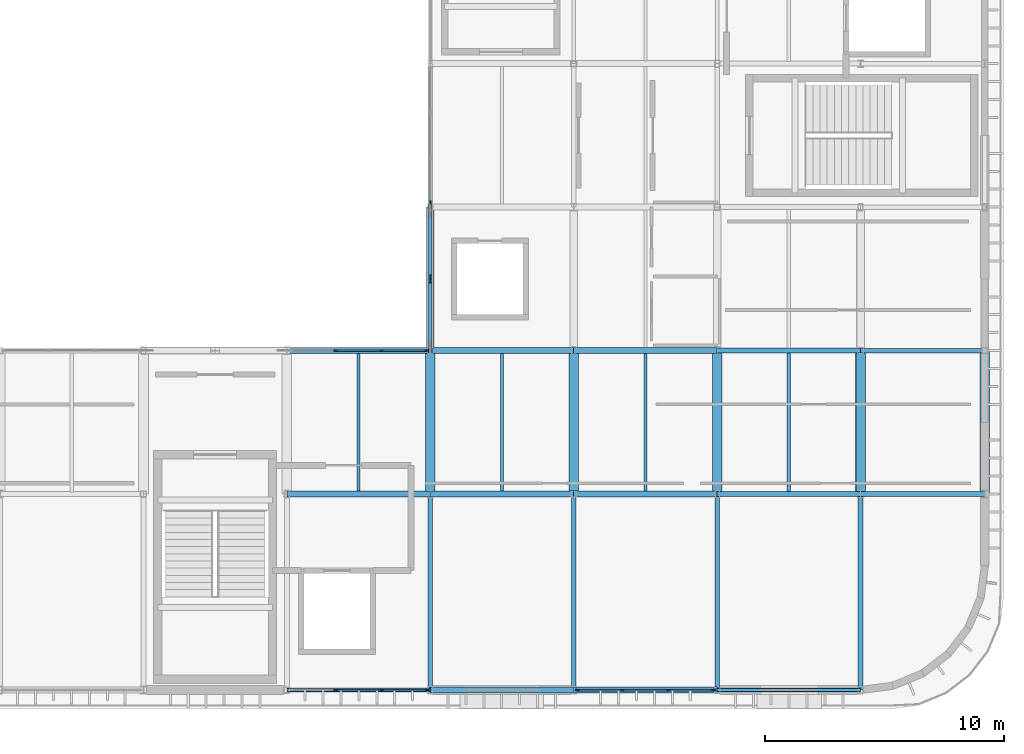
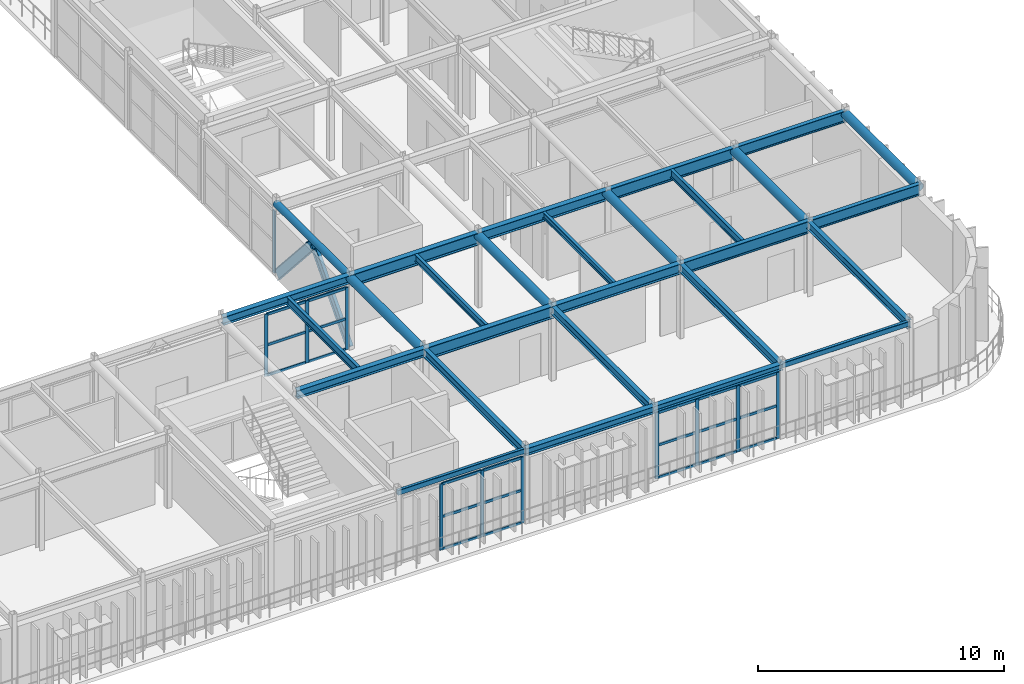
# One storey, part 7 of 27: 34 members, 28 beams, 4 elements without a shape of their own.
"""IFC4 building model written with IfcOpenShell, lengths in metres."""

from ifc_helpers import new_model, si_unit, direction, frame, origin, origin_2d, place, context, subcontext, project, spatial, rectangle, hollow_rectangle, hollow_circle, i_section, extrude, material, material_profile, profile_set, type_object, element, aggregate, save


model = new_model("IFC4")

# Units and contexts
model_context = context("Model", 3, precision=1e-05, world=origin(), true_north=direction((0.0, 1.0)))
body_context = subcontext(model_context, "Body", "Model", "MODEL_VIEW")
ifc_project = project(units=[si_unit("LENGTHUNIT", "METRE"), si_unit("AREAUNIT", "SQUARE_METRE"), si_unit("VOLUMEUNIT", "CUBIC_METRE"), si_unit("PLANEANGLEUNIT", "RADIAN"), si_unit("MASSUNIT", "GRAM", prefix="KILO")], contexts=[model_context])

# Site, building, storey
site_placement = place(None, origin())
site = spatial("IfcSite", under=ifc_project, at=site_placement, CompositionType="ELEMENT")
building_placement = place(site_placement, origin())
building = spatial("IfcBuilding", under=site, at=building_placement, Name="Varnakota Square Police Headquarters", CompositionType="ELEMENT")
storey_placement = place(building_placement, frame((0.0, 0.0, 26.10009765625)))
storey = spatial("IfcBuildingStorey", under=building, at=storey_placement, Name="L06", CompositionType="ELEMENT", Elevation=26.10009765625)

# Beams
ifc_material_1 = material(Name="Steel IS 2062 Grade 350", Category="steel")
ifc_material_profile_1 = material_profile(ifc_material_1, hollow_circle(Radius=0.161865234375, WallThickness=0.0126953125, at=origin_2d()), Name="CHS 323.9x12.7")
ifc_profile_set_1 = profile_set([ifc_material_profile_1], Name="Steel IS 2062 Grade 350")
beam_type_1 = type_object("IfcBeamType", Name="BM-ARC-CHS324", PredefinedType="BEAM", material=ifc_profile_set_1)
beam_1_placement = place(storey_placement, frame((138.0, 15.0, 3.52783203125), z_axis=(0.0, 1.0, 0.0), x_axis=(-1.0, 0.0, 0.0)))
element("IfcBeam", 1, at=beam_1_placement, inside=storey, type_object=beam_type_1, Name="BMG-L06-3347", PredefinedType="BEAM", context=body_context, shape_type="SweptSolid", body=[
    extrude(hollow_circle(Radius=0.161865234375, WallThickness=0.0126953125, at=origin_2d()), origin(), (0.0, 0.0, 1.0), 6.0),
])
ifc_material_profile_2 = material_profile(ifc_material_1, hollow_circle(Radius=0.203125, WallThickness=0.01611328125, at=origin_2d()), Name="CHS 406.4x16.0")
ifc_profile_set_2 = profile_set([ifc_material_profile_2], Name="Steel IS 2062 Grade 350")
beam_type_2 = type_object("IfcBeamType", Name="BM-ARC-CHS406", PredefinedType="BEAM", material=ifc_profile_set_2)
for number, where, z_axis, x_axis, name in (
    (2, (138.0, 9.0, 3.48681640625), (0.0, 1.0, 0.0), (-1.0, 0.0, 0.0), "BMG-L06-3346"),
    (3, (144.0, 9.0, 3.48681640625), (0.0, 1.0, 0.0), (-1.0, 0.0, 0.0), "BMG-L06-3352"),
    (4, (150.0, 9.0, 3.48681640625), (0.0, 1.0, 0.0), (-1.0, 0.0, 0.0), "BMG-L06-3358"),
    (5, (156.0, 9.0, 3.48681640625), (0.0, 1.0, 0.0), (-1.0, 0.0, 0.0), "BMG-L06-3364"),
    (6, (161.199951171875, 9.0, 3.48681640625), (0.0, 1.0, 0.0), (-1.0, 0.0, 0.0), "BMG-L06-3367"),
):
    element("IfcBeam", number, at=place(storey_placement, frame(where, z_axis=z_axis, x_axis=x_axis)), inside=storey, type_object=beam_type_2, Name=name, PredefinedType="BEAM", context=body_context, shape_type="SweptSolid", body=[
        extrude(hollow_circle(Radius=0.203125, WallThickness=0.01611328125, at=origin_2d()), origin(), (0.0, 0.0, 1.0), 6.0),
    ])
ifc_material_profile_3 = material_profile(ifc_material_1, hollow_rectangle(XDim=0.14990234375, YDim=0.25, WallThickness=0.010009765625, InnerFilletRadius=0.010009765625, OuterFilletRadius=0.02001953125, at=origin_2d()), Name="RHS 250x150x10")
ifc_profile_set_3 = profile_set([ifc_material_profile_3], Name="Steel IS 2062 Grade 350")
beam_type_3 = type_object("IfcBeamType", Name="BM-CBEAM-RHS250", PredefinedType="BEAM", material=ifc_profile_set_3)
for number, where, z_axis, x_axis, name in (
    (7, (132.0, 0.800048828125, 3.56494140625), (1.0, 0.0, 0.0), (0.0, 1.0, 0.0), "BMG-L06-3300"),
    (8, (150.0, 0.800048828125, 3.56494140625), (1.0, 0.0, 0.0), (0.0, 1.0, 0.0), "BMG-L06-3303"),
):
    element("IfcBeam", number, at=place(storey_placement, frame(where, z_axis=z_axis, x_axis=x_axis)), inside=storey, type_object=beam_type_3, Name=name, PredefinedType="BEAM", context=body_context, shape_type="SweptSolid", body=[
        extrude(hollow_rectangle(XDim=0.14990234375, YDim=0.25, WallThickness=0.010009765625, InnerFilletRadius=0.010009765625, OuterFilletRadius=0.02001953125, at=origin_2d()), origin(), (0.0, 0.0, 1.0), 6.0),
    ])
ifc_material_profile_4 = material_profile(ifc_material_1, i_section(OverallWidth=0.25, OverallDepth=0.300048828125, WebThickness=0.009521484375, FlangeThickness=0.010498046875, FilletRadius=0.011962890625, at=origin_2d()), Name="ISHB 300")
ifc_profile_set_4 = profile_set([ifc_material_profile_4], Name="Steel IS 2062 Grade 350")
beam_type_4 = type_object("IfcBeamType", Name="BM-ISHB300", PredefinedType="BEAM", material=ifc_profile_set_4)
beam_2_placement = place(storey_placement, frame((144.0, 0.800048828125, 3.539794921875), z_axis=(1.0, 0.0, 0.0), x_axis=(0.0, 1.0, 0.0)))
element("IfcBeam", 9, at=beam_2_placement, inside=storey, type_object=beam_type_4, Name="BMG-L06-3302", PredefinedType="BEAM", context=body_context, shape_type="SweptSolid", body=[
    extrude(i_section(OverallWidth=0.25, OverallDepth=0.300048828125, WebThickness=0.009521484375, FlangeThickness=0.010498046875, FilletRadius=0.011962890625, at=origin_2d()), origin(), (0.0, 0.0, 1.0), 6.0),
])
ifc_material_profile_5 = material_profile(ifc_material_1, i_section(OverallWidth=0.25, OverallDepth=0.35009765625, WebThickness=0.010009765625, FlangeThickness=0.01171875, FilletRadius=0.011962890625, at=origin_2d()), Name="ISHB 350")
ifc_profile_set_5 = profile_set([ifc_material_profile_5], Name="Steel IS 2062 Grade 350")
beam_type_5 = type_object("IfcBeamType", Name="BM-ISHB350", PredefinedType="BEAM", material=ifc_profile_set_5)
beam_3_placement = place(storey_placement, frame((138.0, 0.800048828125, 3.514892578125), z_axis=(1.0, 0.0, 0.0), x_axis=(0.0, 1.0, 0.0)))
element("IfcBeam", 10, at=beam_3_placement, inside=storey, type_object=beam_type_5, Name="BMG-L06-3301", PredefinedType="BEAM", context=body_context, shape_type="SweptSolid", body=[
    extrude(i_section(OverallWidth=0.25, OverallDepth=0.35009765625, WebThickness=0.010009765625, FlangeThickness=0.01171875, FilletRadius=0.011962890625, at=origin_2d()), origin(), (0.0, 0.0, 1.0), 6.0),
])
ifc_material_profile_6 = material_profile(ifc_material_1, i_section(OverallWidth=0.25, OverallDepth=0.39990234375, WebThickness=0.010498046875, FlangeThickness=0.0126953125, FilletRadius=0.013916015625, at=origin_2d()), Name="ISHB 400")
ifc_profile_set_6 = profile_set([ifc_material_profile_6], Name="Steel IS 2062 Grade 350")
beam_type_6 = type_object("IfcBeamType", Name="BM-ISHB400", PredefinedType="BEAM", material=ifc_profile_set_6)
for number, where, z_axis, x_axis, name in (
    (11, (132.0, 9.0, 3.489990234375), (1.0, 0.0, 0.0), (0.0, 1.0, 0.0), "BMG-L06-3307"),
    (12, (132.0, 15.0, 3.489990234375), (1.0, 0.0, 0.0), (0.0, 1.0, 0.0), "BMG-L06-3316"),
):
    element("IfcBeam", number, at=place(storey_placement, frame(where, z_axis=z_axis, x_axis=x_axis)), inside=storey, type_object=beam_type_6, Name=name, PredefinedType="BEAM", context=body_context, shape_type="SweptSolid", body=[
        extrude(i_section(OverallWidth=0.25, OverallDepth=0.39990234375, WebThickness=0.010498046875, FlangeThickness=0.0126953125, FilletRadius=0.013916015625, at=origin_2d()), origin(), (0.0, 0.0, 1.0), 6.0),
    ])
ifc_material_profile_7 = material_profile(ifc_material_1, i_section(OverallWidth=0.139892578125, OverallDepth=0.300048828125, WebThickness=0.0078125, FlangeThickness=0.01318359375, FilletRadius=0.013916015625, at=origin_2d()), Name="ISMB 300")
ifc_profile_set_7 = profile_set([ifc_material_profile_7], Name="Steel IS 2062 Grade 350")
beam_type_7 = type_object("IfcBeamType", Name="BM-ISMB300", PredefinedType="JOIST", material=ifc_profile_set_7)
beam_4_placement = place(storey_placement, frame((147.0, 9.123046875, 3.539794921875), z_axis=(0.0, 1.0, 0.0), x_axis=(-1.0, 0.0, 0.0)))
element("IfcBeam", 13, at=beam_4_placement, inside=storey, type_object=beam_type_7, Name="BMG-L06-3378", PredefinedType="JOIST", context=body_context, shape_type="SweptSolid", body=[
    extrude(i_section(OverallWidth=0.139892578125, OverallDepth=0.300048828125, WebThickness=0.0078125, FlangeThickness=0.01318359375, FilletRadius=0.013916015625, at=origin_2d()), origin(), (0.0, 0.0, 1.0), 5.75390625),
])
ifc_material_profile_8 = material_profile(ifc_material_1, i_section(OverallWidth=0.139892578125, OverallDepth=0.35009765625, WebThickness=0.008056640625, FlangeThickness=0.01416015625, FilletRadius=0.013916015625, at=origin_2d()), Name="ISMB 350")
ifc_profile_set_8 = profile_set([ifc_material_profile_8], Name="Steel IS 2062 Grade 350")
beam_type_8 = type_object("IfcBeamType", Name="BM-ISMB350", PredefinedType="JOIST", material=ifc_profile_set_8)
beam_5_placement = place(storey_placement, frame((141.0, 9.123046875, 3.514892578125), z_axis=(0.0, 1.0, 0.0), x_axis=(-1.0, 0.0, 0.0)))
element("IfcBeam", 14, at=beam_5_placement, inside=storey, type_object=beam_type_8, Name="BMG-L06-3376", PredefinedType="JOIST", context=body_context, shape_type="SweptSolid", body=[
    extrude(i_section(OverallWidth=0.139892578125, OverallDepth=0.35009765625, WebThickness=0.008056640625, FlangeThickness=0.01416015625, FilletRadius=0.013916015625, at=origin_2d()), origin(), (0.0, 0.0, 1.0), 5.75390625),
])
ifc_material_profile_9 = material_profile(ifc_material_1, i_section(OverallWidth=0.139892578125, OverallDepth=0.39990234375, WebThickness=0.0087890625, FlangeThickness=0.01611328125, FilletRadius=0.013916015625, at=origin_2d()), Name="ISMB 400")
ifc_profile_set_9 = profile_set([ifc_material_profile_9], Name="Steel IS 2062 Grade 350")
beam_type_9 = type_object("IfcBeamType", Name="BM-ISMB400", PredefinedType="JOIST", material=ifc_profile_set_9)
beam_6_placement = place(storey_placement, frame((135.0, 9.123046875, 3.489990234375), z_axis=(0.0, 1.0, 0.0), x_axis=(-1.0, 0.0, 0.0)))
element("IfcBeam", 15, at=beam_6_placement, inside=storey, type_object=beam_type_9, Name="BMG-L06-3375", PredefinedType="JOIST", context=body_context, shape_type="SweptSolid", body=[
    extrude(i_section(OverallWidth=0.139892578125, OverallDepth=0.39990234375, WebThickness=0.0087890625, FlangeThickness=0.01611328125, FilletRadius=0.013916015625, at=origin_2d()), origin(), (0.0, 0.0, 1.0), 5.75390625),
])
beam_7_placement = place(storey_placement, frame((153.0, 9.10302734375, 3.489990234375), z_axis=(0.0, 1.0, 0.0), x_axis=(-1.0, 0.0, 0.0)))
element("IfcBeam", 16, at=beam_7_placement, inside=storey, type_object=beam_type_9, Name="BMG-L06-3383", PredefinedType="JOIST", context=body_context, shape_type="SweptSolid", body=[
    extrude(i_section(OverallWidth=0.139892578125, OverallDepth=0.39990234375, WebThickness=0.0087890625, FlangeThickness=0.01611328125, FilletRadius=0.013916015625, at=origin_2d()), origin(), (0.0, 0.0, 1.0), 5.7939453125),
])
ifc_material_profile_10 = material_profile(ifc_material_1, i_section(OverallWidth=0.18994140625, OverallDepth=0.550048828125, WebThickness=0.01123046875, FlangeThickness=0.019287109375, FilletRadius=0.01806640625, at=origin_2d()), Name="ISMB 550")
ifc_profile_set_10 = profile_set([ifc_material_profile_10], Name="Steel IS 2062 Grade 350")
beam_type_10 = type_object("IfcBeamType", Name="BM-ISMB550", PredefinedType="BEAM", material=ifc_profile_set_10)
for number, where, z_axis, x_axis, name in (
    (17, (156.0, 9.0, 3.414794921875), (1.0, 0.0, 0.0), (0.0, 1.0, 0.0), "BMG-L06-3311"),
    (18, (156.0, 15.0, 3.414794921875), (1.0, 0.0, 0.0), (0.0, 1.0, 0.0), "BMG-L06-3320"),
):
    element("IfcBeam", number, at=place(storey_placement, frame(where, z_axis=z_axis, x_axis=x_axis)), inside=storey, type_object=beam_type_10, Name=name, PredefinedType="BEAM", context=body_context, shape_type="SweptSolid", body=[
        extrude(i_section(OverallWidth=0.18994140625, OverallDepth=0.550048828125, WebThickness=0.01123046875, FlangeThickness=0.019287109375, FilletRadius=0.01806640625, at=origin_2d()), origin(), (0.0, 0.0, 1.0), 5.199951171875),
    ])
ifc_material_profile_11 = material_profile(ifc_material_1, i_section(OverallWidth=0.2099609375, OverallDepth=0.60009765625, WebThickness=0.011962890625, FlangeThickness=0.020751953125, FilletRadius=0.02001953125, at=origin_2d()), Name="ISMB 600")
ifc_profile_set_11 = profile_set([ifc_material_profile_11], Name="Steel IS 2062 Grade 350")
beam_type_11 = type_object("IfcBeamType", Name="BM-ISMB600", PredefinedType="BEAM", material=ifc_profile_set_11)
for number, where, z_axis, x_axis, name in (
    (19, (150.0, 9.0, 3.389892578125), (1.0, 0.0, 0.0), (0.0, 1.0, 0.0), "BMG-L06-3310"),
    (20, (150.0, 15.0, 3.389892578125), (1.0, 0.0, 0.0), (0.0, 1.0, 0.0), "BMG-L06-3319"),
):
    element("IfcBeam", number, at=place(storey_placement, frame(where, z_axis=z_axis, x_axis=x_axis)), inside=storey, type_object=beam_type_11, Name=name, PredefinedType="BEAM", context=body_context, shape_type="SweptSolid", body=[
        extrude(i_section(OverallWidth=0.2099609375, OverallDepth=0.60009765625, WebThickness=0.011962890625, FlangeThickness=0.020751953125, FilletRadius=0.02001953125, at=origin_2d()), origin(), (0.0, 0.0, 1.0), 6.0),
    ])
ifc_material_profile_12 = material_profile(ifc_material_1, i_section(OverallWidth=0.199951171875, OverallDepth=0.39990234375, WebThickness=0.008544921875, FlangeThickness=0.012939453125, FilletRadius=0.012939453125, at=origin_2d()), Name="ISWB 400")
ifc_profile_set_12 = profile_set([ifc_material_profile_12], Name="Steel IS 2062 Grade 350")
beam_type_12 = type_object("IfcBeamType", Name="BM-ISWB400", PredefinedType="BEAM", material=ifc_profile_set_12)
for number, where, z_axis, x_axis, name in (
    (21, (138.0, 0.800048828125, 3.489990234375), (0.0, 1.0, 0.0), (-1.0, 0.0, 0.0), "BMG-L06-3345"),
    (22, (144.0, 0.800048828125, 3.489990234375), (0.0, 1.0, 0.0), (-1.0, 0.0, 0.0), "BMG-L06-3351"),
    (23, (150.0, 0.800048828125, 3.489990234375), (0.0, 1.0, 0.0), (-1.0, 0.0, 0.0), "BMG-L06-3357"),
    (24, (156.0, 0.800048828125, 3.489990234375), (0.0, 1.0, 0.0), (-1.0, 0.0, 0.0), "BMG-L06-3363"),
):
    element("IfcBeam", number, at=place(storey_placement, frame(where, z_axis=z_axis, x_axis=x_axis)), inside=storey, type_object=beam_type_12, Name=name, PredefinedType="BEAM", context=body_context, shape_type="SweptSolid", body=[
        extrude(i_section(OverallWidth=0.199951171875, OverallDepth=0.39990234375, WebThickness=0.008544921875, FlangeThickness=0.012939453125, FilletRadius=0.012939453125, at=origin_2d()), origin(), (0.0, 0.0, 1.0), 8.199951171875),
    ])
ifc_material_profile_13 = material_profile(ifc_material_1, i_section(OverallWidth=0.25, OverallDepth=0.5, WebThickness=0.010009765625, FlangeThickness=0.0146484375, FilletRadius=0.014892578125, at=origin_2d()), Name="ISWB 500")
ifc_profile_set_13 = profile_set([ifc_material_profile_13], Name="Steel IS 2062 Grade 350")
beam_type_13 = type_object("IfcBeamType", Name="BM-ISWB500", PredefinedType="BEAM", material=ifc_profile_set_13)
for number, where, z_axis, x_axis, name in (
    (25, (144.0, 9.0, 3.43994140625), (1.0, 0.0, 0.0), (0.0, 1.0, 0.0), "BMG-L06-3309"),
    (26, (144.0, 15.0, 3.43994140625), (1.0, 0.0, 0.0), (0.0, 1.0, 0.0), "BMG-L06-3318"),
):
    element("IfcBeam", number, at=place(storey_placement, frame(where, z_axis=z_axis, x_axis=x_axis)), inside=storey, type_object=beam_type_13, Name=name, PredefinedType="BEAM", context=body_context, shape_type="SweptSolid", body=[
        extrude(i_section(OverallWidth=0.25, OverallDepth=0.5, WebThickness=0.010009765625, FlangeThickness=0.0146484375, FilletRadius=0.014892578125, at=origin_2d()), origin(), (0.0, 0.0, 1.0), 6.0),
    ])
ifc_material_profile_14 = material_profile(ifc_material_1, i_section(OverallWidth=0.25, OverallDepth=0.60009765625, WebThickness=0.01171875, FlangeThickness=0.023681640625, FilletRadius=0.01708984375, at=origin_2d()), Name="ISWB 600")
ifc_profile_set_14 = profile_set([ifc_material_profile_14], Name="Steel IS 2062 Grade 350")
beam_type_14 = type_object("IfcBeamType", Name="BM-ISWB600", PredefinedType="BEAM", material=ifc_profile_set_14)
for number, where, z_axis, x_axis, name in (
    (27, (138.0, 9.0, 3.389892578125), (1.0, 0.0, 0.0), (0.0, 1.0, 0.0), "BMG-L06-3308"),
    (28, (138.0, 15.0, 3.389892578125), (1.0, 0.0, 0.0), (0.0, 1.0, 0.0), "BMG-L06-3317"),
):
    element("IfcBeam", number, at=place(storey_placement, frame(where, z_axis=z_axis, x_axis=x_axis)), inside=storey, type_object=beam_type_14, Name=name, PredefinedType="BEAM", context=body_context, shape_type="SweptSolid", body=[
        extrude(i_section(OverallWidth=0.25, OverallDepth=0.60009765625, WebThickness=0.01171875, FlangeThickness=0.023681640625, FilletRadius=0.01708984375, at=origin_2d()), origin(), (0.0, 0.0, 1.0), 6.0),
    ])

# Curtain wall, members
ifc_material_2 = material(Name="Anodised Aluminium Framing", Category="aluminium")
curtain_wall_type_1 = type_object("IfcCurtainWallType", Name="CW-SYS-F", PredefinedType="NOTDEFINED", material=ifc_material_2)
curtain_wall_1_placement = place(storey_placement, origin())
curtain_wall_1 = element("IfcCurtainWall", 29, at=curtain_wall_1_placement, inside=storey, type_object=curtain_wall_type_1, Name="Unitised curtain wall CWG-L06-111", PredefinedType="NOTDEFINED")
ifc_material_3 = material(Name="Anodised Aluminium 6063-T6", Category="aluminium")
ifc_material_profile_15 = material_profile(ifc_material_3, rectangle(XDim=0.06494140625, YDim=0.159912109375, at=origin_2d()), Name="ALU MULLION 65x160")
ifc_profile_set_15 = profile_set([ifc_material_profile_15], Name="Anodised Aluminium 6063-T6")
member_type_1 = type_object("IfcMemberType", Name="CWM-150", PredefinedType="MULLION", material=ifc_profile_set_15)
member_1_placement = place(storey_placement, frame((134.0517578125, 0.800048828125, 0.0), z_axis=(0.0, 0.0, 1.0), x_axis=(0.0, 1.0, 0.0)))
member_1 = element("IfcMember", 30, at=member_1_placement, type_object=member_type_1, Name="CWG-L06-111 mullion 2", PredefinedType="MULLION", context=body_context, shape_type="SweptSolid", body=[
    extrude(rectangle(XDim=0.06494140625, YDim=0.159912109375, at=origin_2d()), origin(), (0.0, 0.0, 1.0), 3.27978515625),
])
member_2_placement = place(storey_placement, frame((135.973388671875, 0.800048828125, 0.0), z_axis=(0.0, 0.0, 1.0), x_axis=(0.0, 1.0, 0.0)))
member_2 = element("IfcMember", 31, at=member_2_placement, type_object=member_type_1, Name="CWG-L06-111 mullion 3", PredefinedType="MULLION", context=body_context, shape_type="SweptSolid", body=[
    extrude(rectangle(XDim=0.06494140625, YDim=0.159912109375, at=origin_2d()), origin(), (0.0, 0.0, 1.0), 3.27978515625),
])
member_3_placement = place(storey_placement, frame((137.862548828125, 0.800048828125, 0.0), z_axis=(0.0, 0.0, 1.0), x_axis=(0.0, 1.0, 0.0)))
member_3 = element("IfcMember", 32, at=member_3_placement, type_object=member_type_1, Name="CWG-L06-111 mullion 4", PredefinedType="MULLION", context=body_context, shape_type="SweptSolid", body=[
    extrude(rectangle(XDim=0.06494140625, YDim=0.159912109375, at=origin_2d()), origin(), (0.0, 0.0, 1.0), 3.27978515625),
])

curtain_wall_2_placement = place(storey_placement, origin())
curtain_wall_2 = element("IfcCurtainWall", 33, at=curtain_wall_2_placement, inside=storey, type_object=curtain_wall_type_1, Name="Unitised curtain wall CWG-L06-112", PredefinedType="NOTDEFINED")
member_4_placement = place(storey_placement, frame((144.16259765625, 0.800048828125, 0.0), z_axis=(0.0, 0.0, 1.0), x_axis=(0.0, 1.0, 0.0)))
member_4 = element("IfcMember", 34, at=member_4_placement, type_object=member_type_1, Name="CWG-L06-112 mullion 1", PredefinedType="MULLION", context=body_context, shape_type="SweptSolid", body=[
    extrude(rectangle(XDim=0.06494140625, YDim=0.159912109375, at=origin_2d()), origin(), (0.0, 0.0, 1.0), 3.27978515625),
])
member_5_placement = place(storey_placement, frame((146.043212890625, 0.800048828125, 0.0), z_axis=(0.0, 0.0, 1.0), x_axis=(0.0, 1.0, 0.0)))
member_5 = element("IfcMember", 35, at=member_5_placement, type_object=member_type_1, Name="CWG-L06-112 mullion 2", PredefinedType="MULLION", context=body_context, shape_type="SweptSolid", body=[
    extrude(rectangle(XDim=0.06494140625, YDim=0.159912109375, at=origin_2d()), origin(), (0.0, 0.0, 1.0), 3.27978515625),
])
member_6_placement = place(storey_placement, frame((147.956787109375, 0.800048828125, 0.0), z_axis=(0.0, 0.0, 1.0), x_axis=(0.0, 1.0, 0.0)))
member_6 = element("IfcMember", 36, at=member_6_placement, type_object=member_type_1, Name="CWG-L06-112 mullion 3", PredefinedType="MULLION", context=body_context, shape_type="SweptSolid", body=[
    extrude(rectangle(XDim=0.06494140625, YDim=0.159912109375, at=origin_2d()), origin(), (0.0, 0.0, 1.0), 3.27978515625),
])
member_7_placement = place(storey_placement, frame((149.83740234375, 0.800048828125, 0.0), z_axis=(0.0, 0.0, 1.0), x_axis=(0.0, 1.0, 0.0)))
member_7 = element("IfcMember", 37, at=member_7_placement, type_object=member_type_1, Name="CWG-L06-112 mullion 4", PredefinedType="MULLION", context=body_context, shape_type="SweptSolid", body=[
    extrude(rectangle(XDim=0.06494140625, YDim=0.159912109375, at=origin_2d()), origin(), (0.0, 0.0, 1.0), 3.27978515625),
])

curtain_wall_type_2 = type_object("IfcCurtainWallType", Name="CW-SYS-D", PredefinedType="NOTDEFINED", material=ifc_material_2)
curtain_wall_3_placement = place(storey_placement, origin())
curtain_wall_3 = element("IfcCurtainWall", 38, at=curtain_wall_3_placement, inside=storey, type_object=curtain_wall_type_2, Name="Unitised curtain wall CWG-L06-116", PredefinedType="NOTDEFINED")
member_8_placement = place(storey_placement, frame((134.043212890625, 15.0, 0.0), z_axis=(0.0, 0.0, 1.0), x_axis=(0.0, 1.0, 0.0)))
member_8 = element("IfcMember", 39, at=member_8_placement, type_object=member_type_1, Name="CWG-L06-116 mullion 2", PredefinedType="MULLION", context=body_context, shape_type="SweptSolid", body=[
    extrude(rectangle(XDim=0.06494140625, YDim=0.159912109375, at=origin_2d()), origin(), (0.0, 0.0, 1.0), 3.079833984375),
])
member_9_placement = place(storey_placement, frame((135.956787109375, 15.0, 0.0), z_axis=(0.0, 0.0, 1.0), x_axis=(0.0, 1.0, 0.0)))
member_9 = element("IfcMember", 40, at=member_9_placement, type_object=member_type_1, Name="CWG-L06-116 mullion 3", PredefinedType="MULLION", context=body_context, shape_type="SweptSolid", body=[
    extrude(rectangle(XDim=0.06494140625, YDim=0.159912109375, at=origin_2d()), origin(), (0.0, 0.0, 1.0), 3.079833984375),
])
member_10_placement = place(storey_placement, frame((137.83740234375, 15.0, 0.0), z_axis=(0.0, 0.0, 1.0), x_axis=(0.0, 1.0, 0.0)))
member_10 = element("IfcMember", 41, at=member_10_placement, type_object=member_type_1, Name="CWG-L06-116 mullion 4", PredefinedType="MULLION", context=body_context, shape_type="SweptSolid", body=[
    extrude(rectangle(XDim=0.06494140625, YDim=0.159912109375, at=origin_2d()), origin(), (0.0, 0.0, 1.0), 3.079833984375),
])

# Curtain wall, member
curtain_wall_type_3 = type_object("IfcCurtainWallType", Name="CW-SYS-E", PredefinedType="NOTDEFINED", material=ifc_material_2)
curtain_wall_4_placement = place(storey_placement, origin())
curtain_wall_4 = element("IfcCurtainWall", 42, at=curtain_wall_4_placement, inside=storey, type_object=curtain_wall_type_3, Name="Unitised curtain wall CWG-L06-117", PredefinedType="NOTDEFINED")
member_11_placement = place(storey_placement, frame((138.0, 21.1875, 0.0), z_axis=(0.0, 0.0, 1.0), x_axis=(-1.0, 0.0, 0.0)))
member_11 = element("IfcMember", 43, at=member_11_placement, type_object=member_type_1, Name="CWG-L06-117 mullion 1", PredefinedType="MULLION", context=body_context, shape_type="SweptSolid", body=[
    extrude(rectangle(XDim=0.06494140625, YDim=0.159912109375, at=origin_2d()), origin(), (0.0, 0.0, 1.0), 3.079833984375),
])
aggregate(curtain_wall_4, [member_11])

# Member
ifc_material_profile_16 = material_profile(ifc_material_3, rectangle(XDim=0.06494140625, YDim=0.1298828125, at=origin_2d()), Name="ALU TRANSOM 65x130")
ifc_profile_set_16 = profile_set([ifc_material_profile_16], Name="Anodised Aluminium 6063-T6")
member_type_2 = type_object("IfcMemberType", Name="CWT-120", PredefinedType="USERDEFINED", material=ifc_profile_set_16)
member_12_placement = place(storey_placement, frame((134.084228515625, 0.800048828125, 0.032470703125), z_axis=(1.0, 0.0, 0.0), x_axis=(0.0, 1.0, 0.0)))
member_12 = element("IfcMember", 44, at=member_12_placement, type_object=member_type_2, Name="CWG-L06-111 transom 2.1", ObjectType="TRANSOM", PredefinedType="USERDEFINED", context=body_context, shape_type="SweptSolid", body=[
    extrude(rectangle(XDim=0.06494140625, YDim=0.1298828125, at=origin_2d()), origin(), (0.0, 0.0, 1.0), 1.856689453125),
])

member_13_placement = place(storey_placement, frame((134.084228515625, 0.800048828125, 1.639892578125), z_axis=(1.0, 0.0, 0.0), x_axis=(0.0, 1.0, 0.0)))
member_13 = element("IfcMember", 45, at=member_13_placement, type_object=member_type_2, Name="CWG-L06-111 transom 2.2", ObjectType="TRANSOM", PredefinedType="USERDEFINED", context=body_context, shape_type="SweptSolid", body=[
    extrude(rectangle(XDim=0.06494140625, YDim=0.1298828125, at=origin_2d()), origin(), (0.0, 0.0, 1.0), 1.856689453125),
])

member_14_placement = place(storey_placement, frame((134.084228515625, 0.800048828125, 3.247314453125), z_axis=(1.0, 0.0, 0.0), x_axis=(0.0, 1.0, 0.0)))
member_14 = element("IfcMember", 46, at=member_14_placement, type_object=member_type_2, Name="CWG-L06-111 transom 2.3", ObjectType="TRANSOM", PredefinedType="USERDEFINED", context=body_context, shape_type="SweptSolid", body=[
    extrude(rectangle(XDim=0.06494140625, YDim=0.1298828125, at=origin_2d()), origin(), (0.0, 0.0, 1.0), 1.856689453125),
])

member_15_placement = place(storey_placement, frame((136.005859375, 0.800048828125, 0.032470703125), z_axis=(1.0, 0.0, 0.0), x_axis=(0.0, 1.0, 0.0)))
member_15 = element("IfcMember", 47, at=member_15_placement, type_object=member_type_2, Name="CWG-L06-111 transom 3.1", ObjectType="TRANSOM", PredefinedType="USERDEFINED", context=body_context, shape_type="SweptSolid", body=[
    extrude(rectangle(XDim=0.06494140625, YDim=0.1298828125, at=origin_2d()), origin(), (0.0, 0.0, 1.0), 1.82421875),
])

member_16_placement = place(storey_placement, frame((136.005859375, 0.800048828125, 1.639892578125), z_axis=(1.0, 0.0, 0.0), x_axis=(0.0, 1.0, 0.0)))
member_16 = element("IfcMember", 48, at=member_16_placement, type_object=member_type_2, Name="CWG-L06-111 transom 3.2", ObjectType="TRANSOM", PredefinedType="USERDEFINED", context=body_context, shape_type="SweptSolid", body=[
    extrude(rectangle(XDim=0.06494140625, YDim=0.1298828125, at=origin_2d()), origin(), (0.0, 0.0, 1.0), 1.82421875),
])

member_17_placement = place(storey_placement, frame((136.005859375, 0.800048828125, 3.247314453125), z_axis=(1.0, 0.0, 0.0), x_axis=(0.0, 1.0, 0.0)))
member_17 = element("IfcMember", 49, at=member_17_placement, type_object=member_type_2, Name="CWG-L06-111 transom 3.3", ObjectType="TRANSOM", PredefinedType="USERDEFINED", context=body_context, shape_type="SweptSolid", body=[
    extrude(rectangle(XDim=0.06494140625, YDim=0.1298828125, at=origin_2d()), origin(), (0.0, 0.0, 1.0), 1.82421875),
])

aggregate(curtain_wall_1, [member_1, member_2, member_3, member_12, member_13, member_14, member_15, member_16, member_17])

member_18_placement = place(storey_placement, frame((144.195068359375, 0.800048828125, 0.032470703125), z_axis=(1.0, 0.0, 0.0), x_axis=(0.0, 1.0, 0.0)))
member_18 = element("IfcMember", 50, at=member_18_placement, type_object=member_type_2, Name="CWG-L06-112 transom 1.1", ObjectType="TRANSOM", PredefinedType="USERDEFINED", context=body_context, shape_type="SweptSolid", body=[
    extrude(rectangle(XDim=0.06494140625, YDim=0.1298828125, at=origin_2d()), origin(), (0.0, 0.0, 1.0), 1.815673828125),
])

member_19_placement = place(storey_placement, frame((144.195068359375, 0.800048828125, 1.639892578125), z_axis=(1.0, 0.0, 0.0), x_axis=(0.0, 1.0, 0.0)))
member_19 = element("IfcMember", 51, at=member_19_placement, type_object=member_type_2, Name="CWG-L06-112 transom 1.2", ObjectType="TRANSOM", PredefinedType="USERDEFINED", context=body_context, shape_type="SweptSolid", body=[
    extrude(rectangle(XDim=0.06494140625, YDim=0.1298828125, at=origin_2d()), origin(), (0.0, 0.0, 1.0), 1.815673828125),
])

member_20_placement = place(storey_placement, frame((144.195068359375, 0.800048828125, 3.247314453125), z_axis=(1.0, 0.0, 0.0), x_axis=(0.0, 1.0, 0.0)))
member_20 = element("IfcMember", 52, at=member_20_placement, type_object=member_type_2, Name="CWG-L06-112 transom 1.3", ObjectType="TRANSOM", PredefinedType="USERDEFINED", context=body_context, shape_type="SweptSolid", body=[
    extrude(rectangle(XDim=0.06494140625, YDim=0.1298828125, at=origin_2d()), origin(), (0.0, 0.0, 1.0), 1.815673828125),
])

member_21_placement = place(storey_placement, frame((146.075927734375, 0.800048828125, 0.032470703125), z_axis=(1.0, 0.0, 0.0), x_axis=(0.0, 1.0, 0.0)))
member_21 = element("IfcMember", 53, at=member_21_placement, type_object=member_type_2, Name="CWG-L06-112 transom 2.1", ObjectType="TRANSOM", PredefinedType="USERDEFINED", context=body_context, shape_type="SweptSolid", body=[
    extrude(rectangle(XDim=0.06494140625, YDim=0.1298828125, at=origin_2d()), origin(), (0.0, 0.0, 1.0), 1.84814453125),
])

member_22_placement = place(storey_placement, frame((146.075927734375, 0.800048828125, 1.639892578125), z_axis=(1.0, 0.0, 0.0), x_axis=(0.0, 1.0, 0.0)))
member_22 = element("IfcMember", 54, at=member_22_placement, type_object=member_type_2, Name="CWG-L06-112 transom 2.2", ObjectType="TRANSOM", PredefinedType="USERDEFINED", context=body_context, shape_type="SweptSolid", body=[
    extrude(rectangle(XDim=0.06494140625, YDim=0.1298828125, at=origin_2d()), origin(), (0.0, 0.0, 1.0), 1.84814453125),
])

member_23_placement = place(storey_placement, frame((146.075927734375, 0.800048828125, 3.247314453125), z_axis=(1.0, 0.0, 0.0), x_axis=(0.0, 1.0, 0.0)))
member_23 = element("IfcMember", 55, at=member_23_placement, type_object=member_type_2, Name="CWG-L06-112 transom 2.3", ObjectType="TRANSOM", PredefinedType="USERDEFINED", context=body_context, shape_type="SweptSolid", body=[
    extrude(rectangle(XDim=0.06494140625, YDim=0.1298828125, at=origin_2d()), origin(), (0.0, 0.0, 1.0), 1.84814453125),
])

member_24_placement = place(storey_placement, frame((147.9892578125, 0.800048828125, 0.032470703125), z_axis=(1.0, 0.0, 0.0), x_axis=(0.0, 1.0, 0.0)))
member_24 = element("IfcMember", 56, at=member_24_placement, type_object=member_type_2, Name="CWG-L06-112 transom 3.1", ObjectType="TRANSOM", PredefinedType="USERDEFINED", context=body_context, shape_type="SweptSolid", body=[
    extrude(rectangle(XDim=0.06494140625, YDim=0.1298828125, at=origin_2d()), origin(), (0.0, 0.0, 1.0), 1.815673828125),
])

member_25_placement = place(storey_placement, frame((147.9892578125, 0.800048828125, 1.639892578125), z_axis=(1.0, 0.0, 0.0), x_axis=(0.0, 1.0, 0.0)))
member_25 = element("IfcMember", 57, at=member_25_placement, type_object=member_type_2, Name="CWG-L06-112 transom 3.2", ObjectType="TRANSOM", PredefinedType="USERDEFINED", context=body_context, shape_type="SweptSolid", body=[
    extrude(rectangle(XDim=0.06494140625, YDim=0.1298828125, at=origin_2d()), origin(), (0.0, 0.0, 1.0), 1.815673828125),
])

member_26_placement = place(storey_placement, frame((147.9892578125, 0.800048828125, 3.247314453125), z_axis=(1.0, 0.0, 0.0), x_axis=(0.0, 1.0, 0.0)))
member_26 = element("IfcMember", 58, at=member_26_placement, type_object=member_type_2, Name="CWG-L06-112 transom 3.3", ObjectType="TRANSOM", PredefinedType="USERDEFINED", context=body_context, shape_type="SweptSolid", body=[
    extrude(rectangle(XDim=0.06494140625, YDim=0.1298828125, at=origin_2d()), origin(), (0.0, 0.0, 1.0), 1.815673828125),
])

aggregate(curtain_wall_2, [member_4, member_5, member_6, member_7, member_18, member_19, member_20, member_21, member_22, member_23, member_24, member_25, member_26])

member_27_placement = place(storey_placement, frame((134.075927734375, 15.0, 0.032470703125), z_axis=(1.0, 0.0, 0.0), x_axis=(0.0, 1.0, 0.0)))
member_27 = element("IfcMember", 59, at=member_27_placement, type_object=member_type_2, Name="CWG-L06-116 transom 2.1", ObjectType="TRANSOM", PredefinedType="USERDEFINED", context=body_context, shape_type="SweptSolid", body=[
    extrude(rectangle(XDim=0.06494140625, YDim=0.1298828125, at=origin_2d()), origin(), (0.0, 0.0, 1.0), 1.84814453125),
])

member_28_placement = place(storey_placement, frame((134.075927734375, 15.0, 1.539794921875), z_axis=(1.0, 0.0, 0.0), x_axis=(0.0, 1.0, 0.0)))
member_28 = element("IfcMember", 60, at=member_28_placement, type_object=member_type_2, Name="CWG-L06-116 transom 2.2", ObjectType="TRANSOM", PredefinedType="USERDEFINED", context=body_context, shape_type="SweptSolid", body=[
    extrude(rectangle(XDim=0.06494140625, YDim=0.1298828125, at=origin_2d()), origin(), (0.0, 0.0, 1.0), 1.84814453125),
])

member_29_placement = place(storey_placement, frame((134.075927734375, 15.0, 3.04736328125), z_axis=(1.0, 0.0, 0.0), x_axis=(0.0, 1.0, 0.0)))
member_29 = element("IfcMember", 61, at=member_29_placement, type_object=member_type_2, Name="CWG-L06-116 transom 2.3", ObjectType="TRANSOM", PredefinedType="USERDEFINED", context=body_context, shape_type="SweptSolid", body=[
    extrude(rectangle(XDim=0.06494140625, YDim=0.1298828125, at=origin_2d()), origin(), (0.0, 0.0, 1.0), 1.84814453125),
])

member_30_placement = place(storey_placement, frame((135.9892578125, 15.0, 0.032470703125), z_axis=(1.0, 0.0, 0.0), x_axis=(0.0, 1.0, 0.0)))
member_30 = element("IfcMember", 62, at=member_30_placement, type_object=member_type_2, Name="CWG-L06-116 transom 3.1", ObjectType="TRANSOM", PredefinedType="USERDEFINED", context=body_context, shape_type="SweptSolid", body=[
    extrude(rectangle(XDim=0.06494140625, YDim=0.1298828125, at=origin_2d()), origin(), (0.0, 0.0, 1.0), 1.815673828125),
])

member_31_placement = place(storey_placement, frame((135.9892578125, 15.0, 1.539794921875), z_axis=(1.0, 0.0, 0.0), x_axis=(0.0, 1.0, 0.0)))
member_31 = element("IfcMember", 63, at=member_31_placement, type_object=member_type_2, Name="CWG-L06-116 transom 3.2", ObjectType="TRANSOM", PredefinedType="USERDEFINED", context=body_context, shape_type="SweptSolid", body=[
    extrude(rectangle(XDim=0.06494140625, YDim=0.1298828125, at=origin_2d()), origin(), (0.0, 0.0, 1.0), 1.815673828125),
])

member_32_placement = place(storey_placement, frame((135.9892578125, 15.0, 3.04736328125), z_axis=(1.0, 0.0, 0.0), x_axis=(0.0, 1.0, 0.0)))
member_32 = element("IfcMember", 64, at=member_32_placement, type_object=member_type_2, Name="CWG-L06-116 transom 3.3", ObjectType="TRANSOM", PredefinedType="USERDEFINED", context=body_context, shape_type="SweptSolid", body=[
    extrude(rectangle(XDim=0.06494140625, YDim=0.1298828125, at=origin_2d()), origin(), (0.0, 0.0, 1.0), 1.815673828125),
])

aggregate(curtain_wall_3, [member_8, member_9, member_10, member_27, member_28, member_29, member_30, member_31, member_32])

# Members
ifc_material_profile_17 = material_profile(ifc_material_1, i_section(OverallWidth=0.14990234375, OverallDepth=0.449951171875, WebThickness=0.009521484375, FlangeThickness=0.017333984375, FilletRadius=0.014892578125, at=origin_2d()), Name="ISMB 450")
ifc_profile_set_17 = profile_set([ifc_material_profile_17], Name="Steel IS 2062 Grade 350")
member_type_3 = type_object("IfcMemberType", Name="MEM-BR-ISMB450", PredefinedType="BRACE", material=ifc_profile_set_17)
for number, where, z_axis, x_axis, name in (
    (65, (138.0, 15.050048828125, 0.02001953125), (0.0, 0.663119595189, 0.748513461787), (-1.0, 0.0, 0.0), "Lateral brace BF2 L06 left"),
    (66, (138.0, 20.949951171875, 0.02001953125), (0.0, -0.663119595189, 0.748513461787), (1.0, 0.0, 0.0), "Lateral brace BF2 L06 right"),
):
    element("IfcMember", number, at=place(storey_placement, frame(where, z_axis=z_axis, x_axis=x_axis)), inside=storey, type_object=member_type_3, Name=name, PredefinedType="BRACE", context=body_context, shape_type="SweptSolid", body=[
        extrude(i_section(OverallWidth=0.14990234375, OverallDepth=0.449951171875, WebThickness=0.009521484375, FlangeThickness=0.017333984375, FilletRadius=0.014892578125, at=origin_2d()), origin(), (0.0, 0.0, 1.0), 4.448486328125),
    ])

save(model, "model.ifc")
